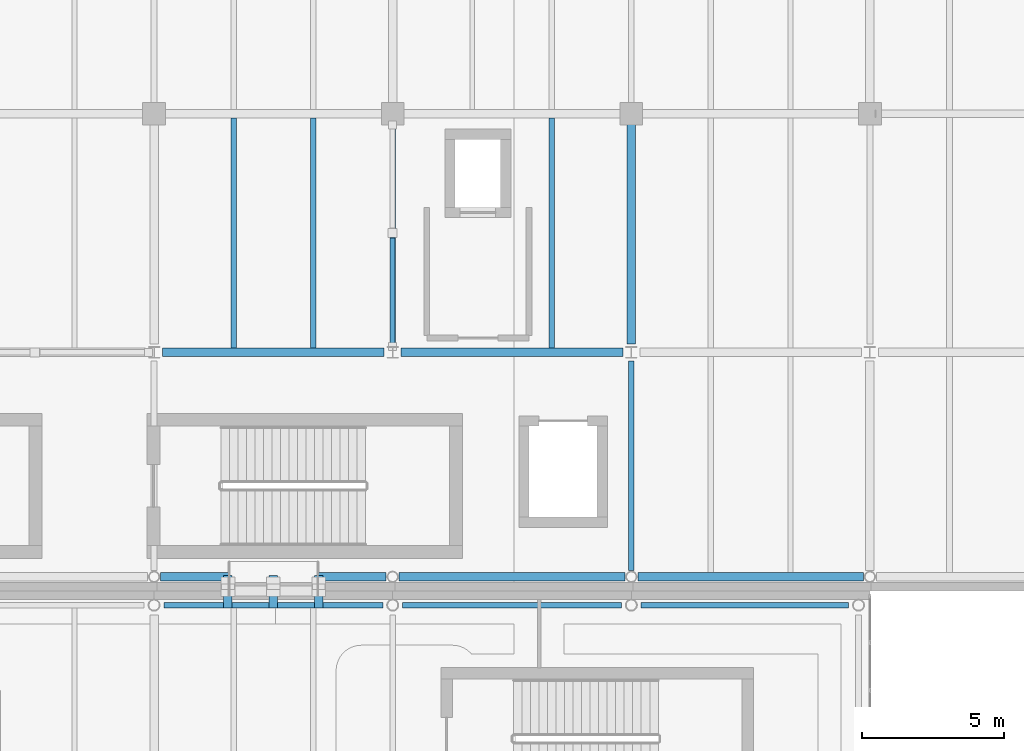
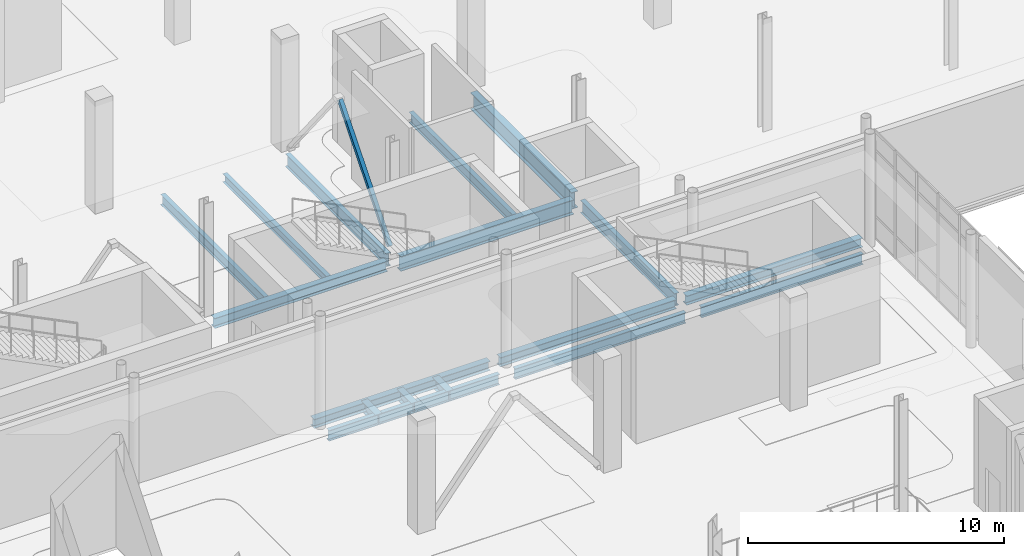
# One storey, part 43 of 110: 17 beams, 1 member.
"""IFC4 building model written with IfcOpenShell, lengths in metres."""

from ifc_helpers import new_model, si_unit, direction, frame, origin, origin_2d, place, context, subcontext, project, spatial, hollow_rectangle, i_section, extrude, material, material_profile, profile_set, type_object, element, save


model = new_model("IFC4")

# Units and contexts
model_context = context("Model", 3, precision=1e-05, world=origin(), true_north=direction((0.0, 1.0)))
body_context = subcontext(model_context, "Body", "Model", "MODEL_VIEW")
ifc_project = project(units=[si_unit("LENGTHUNIT", "METRE"), si_unit("AREAUNIT", "SQUARE_METRE"), si_unit("VOLUMEUNIT", "CUBIC_METRE"), si_unit("PLANEANGLEUNIT", "RADIAN"), si_unit("MASSUNIT", "GRAM", prefix="KILO"), si_unit("THERMODYNAMICTEMPERATUREUNIT", "KELVIN")], contexts=[model_context])

# Site, building, storey
site_placement = place(None, origin())
site = spatial("IfcSite", under=ifc_project, at=site_placement, CompositionType="ELEMENT")
building_placement = place(site_placement, origin())
building = spatial("IfcBuilding", under=site, at=building_placement, Name="Lustrewick Department Store", CompositionType="ELEMENT")
storey_placement = place(building_placement, frame((0.0, 0.0, 6.0)))
storey = spatial("IfcBuildingStorey", under=building, at=storey_placement, Name="L02", CompositionType="ELEMENT", Elevation=6.0)

# Beams
ifc_material = material(Name="Structural steel Q355B", Category="steel")
ifc_material_profile_1 = material_profile(ifc_material, i_section(OverallWidth=0.199951171875, OverallDepth=0.5, WebThickness=0.010009765625, FlangeThickness=0.01611328125, FilletRadius=0.01611328125, at=origin_2d()), Name="HN 500x200x10x16")
ifc_profile_set_1 = profile_set([ifc_material_profile_1], Name="Structural steel Q355B")
beam_type_1 = type_object("IfcBeamType", Name="B01", PredefinedType="JOIST", material=ifc_profile_set_1)
beam_1_placement = place(storey_placement, frame((140.0, 58.949951171875, -0.5048828125), z_axis=(0.0, 1.0, 0.0), x_axis=(-1.0, 0.0, 0.0)))
element("IfcBeam", 1, at=beam_1_placement, inside=storey, type_object=beam_type_1, Name="L02 V4 Secondary Joist B01", PredefinedType="JOIST", context=body_context, shape_type="SweptSolid", body=[
    extrude(i_section(OverallWidth=0.199951171875, OverallDepth=0.5, WebThickness=0.010009765625, FlangeThickness=0.01611328125, FilletRadius=0.01611328125, at=origin_2d()), origin(), (0.0, 0.0, 1.0), 8.10009765625),
])
ifc_material_profile_2 = material_profile(ifc_material, i_section(OverallWidth=0.198974609375, OverallDepth=0.49609375, WebThickness=0.009033203125, FlangeThickness=0.013916015625, FilletRadius=0.01611328125, at=origin_2d()), Name="HN 496x199x9x14")
ifc_profile_set_2 = profile_set([ifc_material_profile_2], Name="Structural steel Q355B")
beam_type_2 = type_object("IfcBeamType", Name="B02", PredefinedType="JOIST", material=ifc_profile_set_2)
beam_2_placement = place(storey_placement, frame((128.800048828125, 58.949951171875, -0.5029296875), z_axis=(0.0, 1.0, 0.0), x_axis=(-1.0, 0.0, 0.0)))
element("IfcBeam", 2, at=beam_2_placement, inside=storey, type_object=beam_type_2, Name="L02 V4 Secondary Joist B02", PredefinedType="JOIST", context=body_context, shape_type="SweptSolid", body=[
    extrude(i_section(OverallWidth=0.198974609375, OverallDepth=0.49609375, WebThickness=0.009033203125, FlangeThickness=0.013916015625, FilletRadius=0.01611328125, at=origin_2d()), origin(), (0.0, 0.0, 1.0), 8.10009765625),
])
ifc_material_profile_3 = material_profile(ifc_material, i_section(OverallWidth=0.198974609375, OverallDepth=0.39599609375, WebThickness=0.007080078125, FlangeThickness=0.010986328125, FilletRadius=0.013916015625, at=origin_2d()), Name="HN 396x199x7x11")
ifc_profile_set_3 = profile_set([ifc_material_profile_3], Name="Structural steel Q355B")
beam_type_3 = type_object("IfcBeamType", Name="B06", PredefinedType="JOIST", material=ifc_profile_set_3)
beam_3_placement = place(storey_placement, frame((131.60009765625, 58.949951171875, -0.452880859375), z_axis=(0.0, 1.0, 0.0), x_axis=(-1.0, 0.0, 0.0)))
element("IfcBeam", 3, at=beam_3_placement, inside=storey, type_object=beam_type_3, Name="L02 V4 Secondary Joist B06", PredefinedType="JOIST", context=body_context, shape_type="SweptSolid", body=[
    extrude(i_section(OverallWidth=0.198974609375, OverallDepth=0.39599609375, WebThickness=0.007080078125, FlangeThickness=0.010986328125, FilletRadius=0.013916015625, at=origin_2d()), origin(), (0.0, 0.0, 1.0), 8.10009765625),
])

# Member
ifc_material_profile_4 = material_profile(ifc_material, hollow_rectangle(XDim=0.179931640625, YDim=0.179931640625, WallThickness=0.008056640625, at=origin_2d()), Name="SHS 180x180x8")
ifc_profile_set_4 = profile_set([ifc_material_profile_4], Name="Structural steel Q355B")
member_type = type_object("IfcMemberType", Name="BR10", PredefinedType="BRACE", material=ifc_profile_set_4)
member_placement = place(storey_placement, frame((134.39990234375, 59.00244140625, 0.14990234375), z_axis=(0.0, 0.642770843687, 0.76605851115), x_axis=(-1.0, 0.0, 0.0)))
element("IfcMember", 4, at=member_placement, inside=storey, type_object=member_type, Name="L02 V4 Chevron Brace BR10", PredefinedType="BRACE", context=body_context, shape_type="SweptSolid", body=[
    extrude(hollow_rectangle(XDim=0.179931640625, YDim=0.179931640625, WallThickness=0.008056640625, at=origin_2d()), origin(), (0.0, 0.0, 1.0), 6.0634765625),
])

# Beams
ifc_material_profile_5 = material_profile(ifc_material, i_section(OverallWidth=0.300048828125, OverallDepth=0.800048828125, WebThickness=0.013916015625, FlangeThickness=0.02587890625, FilletRadius=0.02197265625, at=origin_2d()), Name="HN 800x300x14x26")
ifc_profile_set_5 = profile_set([ifc_material_profile_5], Name="Structural steel Q355B")
beam_type_4 = type_object("IfcBeamType", Name="G05", PredefinedType="BEAM", material=ifc_profile_set_5)
beam_4_placement = place(storey_placement, frame((142.800048828125, 59.10009765625, -0.655029296875), z_axis=(0.0, 1.0, 0.0), x_axis=(-1.0, 0.0, 0.0)))
element("IfcBeam", 5, at=beam_4_placement, inside=storey, type_object=beam_type_4, Name="L02 V4 Girder G05", PredefinedType="BEAM", context=body_context, shape_type="SweptSolid", body=[
    extrude(i_section(OverallWidth=0.300048828125, OverallDepth=0.800048828125, WebThickness=0.013916015625, FlangeThickness=0.02587890625, FilletRadius=0.02197265625, at=origin_2d()), origin(), (0.0, 0.0, 1.0), 7.89990234375),
])
ifc_material_profile_6 = material_profile(ifc_material, i_section(OverallWidth=0.300048828125, OverallDepth=0.699951171875, WebThickness=0.012939453125, FlangeThickness=0.02392578125, FilletRadius=0.02001953125, at=origin_2d()), Name="HN 700x300x13x24")
ifc_profile_set_6 = profile_set([ifc_material_profile_6], Name="Structural steel Q355B")
beam_type_5 = type_object("IfcBeamType", Name="G08", PredefinedType="BEAM", material=ifc_profile_set_6)
beam_5_placement = place(storey_placement, frame((134.699951171875, 58.800048828125, -0.60498046875), z_axis=(1.0, 0.0, 0.0), x_axis=(0.0, 1.0, 0.0)))
element("IfcBeam", 6, at=beam_5_placement, inside=storey, type_object=beam_type_5, Name="L02 V4 Girder G08", PredefinedType="BEAM", context=body_context, shape_type="SweptSolid", body=[
    extrude(i_section(OverallWidth=0.300048828125, OverallDepth=0.699951171875, WebThickness=0.012939453125, FlangeThickness=0.02392578125, FilletRadius=0.02001953125, at=origin_2d()), origin(), (0.0, 0.0, 1.0), 7.800048828125),
])
ifc_material_profile_7 = material_profile(ifc_material, i_section(OverallWidth=0.200927734375, OverallDepth=0.60595703125, WebThickness=0.011962890625, FlangeThickness=0.02001953125, FilletRadius=0.01806640625, at=origin_2d()), Name="HN 606x201x12x20")
ifc_profile_set_7 = profile_set([ifc_material_profile_7], Name="Structural steel Q355B")
beam_type_6 = type_object("IfcBeamType", Name="G13", PredefinedType="BEAM", material=ifc_profile_set_7)
beam_6_placement = place(storey_placement, frame((134.39990234375, 59.10009765625, -0.55810546875), z_axis=(0.0, 1.0, 0.0), x_axis=(-1.0, 0.0, 0.0)))
element("IfcBeam", 7, at=beam_6_placement, inside=storey, type_object=beam_type_6, Name="L02 V4 Girder G13", PredefinedType="BEAM", context=body_context, shape_type="SweptSolid", body=[
    extrude(i_section(OverallWidth=0.200927734375, OverallDepth=0.60595703125, WebThickness=0.011962890625, FlangeThickness=0.02001953125, FilletRadius=0.01806640625, at=origin_2d()), origin(), (0.0, 0.0, 1.0), 7.89990234375),
])
ifc_material_profile_8 = material_profile(ifc_material, i_section(OverallWidth=0.199951171875, OverallDepth=0.60009765625, WebThickness=0.010986328125, FlangeThickness=0.01708984375, FilletRadius=0.01806640625, at=origin_2d()), Name="HN 600x200x11x17")
ifc_profile_set_8 = profile_set([ifc_material_profile_8], Name="Structural steel Q355B")
beam_type_7 = type_object("IfcBeamType", Name="G14", PredefinedType="BEAM", material=ifc_profile_set_8)
beam_7_placement = place(storey_placement, frame((142.800048828125, 51.12841796875, -0.554931640625), z_axis=(0.0, 1.0, 0.0), x_axis=(-1.0, 0.0, 0.0)))
element("IfcBeam", 8, at=beam_7_placement, inside=storey, type_object=beam_type_7, Name="L02 V4 Girder G14", PredefinedType="BEAM", context=body_context, shape_type="SweptSolid", body=[
    extrude(i_section(OverallWidth=0.199951171875, OverallDepth=0.60009765625, WebThickness=0.010986328125, FlangeThickness=0.01708984375, FilletRadius=0.01806640625, at=origin_2d()), origin(), (0.0, 0.0, 1.0), 7.37158203125),
])
ifc_material_profile_9 = material_profile(ifc_material, i_section(OverallWidth=0.300048828125, OverallDepth=0.488037109375, WebThickness=0.010986328125, FlangeThickness=0.01806640625, FilletRadius=0.02197265625, at=origin_2d()), Name="HM 488x300x11x18")
ifc_profile_set_9 = profile_set([ifc_material_profile_9], Name="Structural steel Q355B")
beam_type_8 = type_object("IfcBeamType", Name="G16", PredefinedType="BEAM", material=ifc_profile_set_9)
for number, where, z_axis, x_axis, name in (
    (9, (128.60009765625, 49.800048828125, -0.4990234375), (0.0, 1.0, 0.0), (-1.0, 0.0, 0.0), "L02 Skybridge SB34 Girder 1"),
    (10, (131.800048828125, 49.800048828125, -0.4990234375), (0.0, 1.0, 0.0), (-1.0, 0.0, 0.0), "L02 Skybridge SB34 Girder 2"),
    (11, (130.199951171875, 49.800048828125, -0.4990234375), (0.0, 1.0, 0.0), (-1.0, 0.0, 0.0), "L02 Skybridge SB34 Girder 3"),
):
    element("IfcBeam", number, at=place(storey_placement, frame(where, z_axis=z_axis, x_axis=x_axis)), inside=storey, type_object=beam_type_8, Name=name, PredefinedType="BEAM", context=body_context, shape_type="SweptSolid", body=[
        extrude(i_section(OverallWidth=0.300048828125, OverallDepth=0.488037109375, WebThickness=0.010986328125, FlangeThickness=0.01806640625, FilletRadius=0.02197265625, at=origin_2d()), origin(), (0.0, 0.0, 1.0), 1.139892578125),
    ])
ifc_material_profile_10 = material_profile(ifc_material, i_section(OverallWidth=0.300048828125, OverallDepth=0.48193359375, WebThickness=0.010986328125, FlangeThickness=0.014892578125, FilletRadius=0.02197265625, at=origin_2d()), Name="HM 482x300x11x15")
ifc_profile_set_10 = profile_set([ifc_material_profile_10], Name="Structural steel Q355B")
beam_type_9 = type_object("IfcBeamType", Name="G20", PredefinedType="BEAM", material=ifc_profile_set_10)
beam_8_placement = place(storey_placement, frame((126.300048828125, 58.800048828125, -0.49609375), z_axis=(1.0, 0.0, 0.0), x_axis=(0.0, 1.0, 0.0)))
element("IfcBeam", 12, at=beam_8_placement, inside=storey, type_object=beam_type_9, Name="L02 V4 Girder G20", PredefinedType="BEAM", context=body_context, shape_type="SweptSolid", body=[
    extrude(i_section(OverallWidth=0.300048828125, OverallDepth=0.48193359375, WebThickness=0.010986328125, FlangeThickness=0.014892578125, FilletRadius=0.02197265625, at=origin_2d()), origin(), (0.0, 0.0, 1.0), 7.800048828125),
])
ifc_material_profile_11 = material_profile(ifc_material, i_section(OverallWidth=0.200927734375, OverallDepth=0.506103515625, WebThickness=0.010986328125, FlangeThickness=0.01904296875, FilletRadius=0.01611328125, at=origin_2d()), Name="HN 506x201x11x19")
ifc_profile_set_11 = profile_set([ifc_material_profile_11], Name="Structural steel Q355B")
beam_type_10 = type_object("IfcBeamType", Name="SP01", PredefinedType="SPANDREL", material=ifc_profile_set_11)
for number, where, z_axis, x_axis, name in (
    (13, (126.35009765625, 49.89990234375, -0.508056640625), (1.0, 0.0, 0.0), (0.0, 1.0, 0.0), "L02 V3 Girder SP01"),
    (14, (134.75, 49.89990234375, -0.508056640625), (1.0, 0.0, 0.0), (0.0, 1.0, 0.0), "L02 V3 Girder SP01"),
):
    element("IfcBeam", number, at=place(storey_placement, frame(where, z_axis=z_axis, x_axis=x_axis)), inside=storey, type_object=beam_type_10, Name=name, PredefinedType="SPANDREL", context=body_context, shape_type="SweptSolid", body=[
        extrude(i_section(OverallWidth=0.200927734375, OverallDepth=0.506103515625, WebThickness=0.010986328125, FlangeThickness=0.01904296875, FilletRadius=0.01611328125, at=origin_2d()), origin(), (0.0, 0.0, 1.0), 7.699951171875),
    ])
beam_9_placement = place(storey_placement, frame((143.14990234375, 49.89990234375, -0.508056640625), z_axis=(1.0, 0.0, 0.0), x_axis=(0.0, 1.0, 0.0)))
element("IfcBeam", 15, at=beam_9_placement, inside=storey, type_object=beam_type_10, Name="L02 V3 Girder SP01", PredefinedType="SPANDREL", context=body_context, shape_type="SweptSolid", body=[
    extrude(i_section(OverallWidth=0.200927734375, OverallDepth=0.506103515625, WebThickness=0.010986328125, FlangeThickness=0.01904296875, FilletRadius=0.01611328125, at=origin_2d()), origin(), (0.0, 0.0, 1.0), 7.300048828125),
])
ifc_material_profile_12 = material_profile(ifc_material, i_section(OverallWidth=0.300048828125, OverallDepth=0.43994140625, WebThickness=0.010986328125, FlangeThickness=0.01806640625, FilletRadius=0.02001953125, at=origin_2d()), Name="HM 440x300x11x18")
ifc_profile_set_12 = profile_set([ifc_material_profile_12], Name="Structural steel Q355B")
beam_type_11 = type_object("IfcBeamType", Name="SP02", PredefinedType="SPANDREL", material=ifc_profile_set_12)
beam_10_placement = place(storey_placement, frame((126.228515625, 50.89990234375, -0.47509765625), z_axis=(1.0, 0.0, 0.0), x_axis=(0.0, 1.0, 0.0)))
element("IfcBeam", 16, at=beam_10_placement, inside=storey, type_object=beam_type_11, Name="L02 V4 Girder SP02", PredefinedType="SPANDREL", context=body_context, shape_type="SweptSolid", body=[
    extrude(i_section(OverallWidth=0.300048828125, OverallDepth=0.43994140625, WebThickness=0.010986328125, FlangeThickness=0.01806640625, FilletRadius=0.02001953125, at=origin_2d()), origin(), (0.0, 0.0, 1.0), 7.94287109375),
])
beam_11_placement = place(storey_placement, frame((134.62841796875, 50.89990234375, -0.47509765625), z_axis=(1.0, 0.0, 0.0), x_axis=(0.0, 1.0, 0.0)))
element("IfcBeam", 17, at=beam_11_placement, inside=storey, type_object=beam_type_11, Name="L02 V4 Girder SP02", PredefinedType="SPANDREL", context=body_context, shape_type="SweptSolid", body=[
    extrude(i_section(OverallWidth=0.300048828125, OverallDepth=0.43994140625, WebThickness=0.010986328125, FlangeThickness=0.01806640625, FilletRadius=0.02001953125, at=origin_2d()), origin(), (0.0, 0.0, 1.0), 7.943115234375),
])
beam_12_placement = place(storey_placement, frame((143.028564453125, 50.89990234375, -0.47509765625), z_axis=(1.0, 0.0, 0.0), x_axis=(0.0, 1.0, 0.0)))
element("IfcBeam", 18, at=beam_12_placement, inside=storey, type_object=beam_type_11, Name="L02 V4 Girder SP02", PredefinedType="SPANDREL", context=body_context, shape_type="SweptSolid", body=[
    extrude(i_section(OverallWidth=0.300048828125, OverallDepth=0.43994140625, WebThickness=0.010986328125, FlangeThickness=0.01806640625, FilletRadius=0.02001953125, at=origin_2d()), origin(), (0.0, 0.0, 1.0), 7.94287109375),
])

save(model, "model.ifc")
